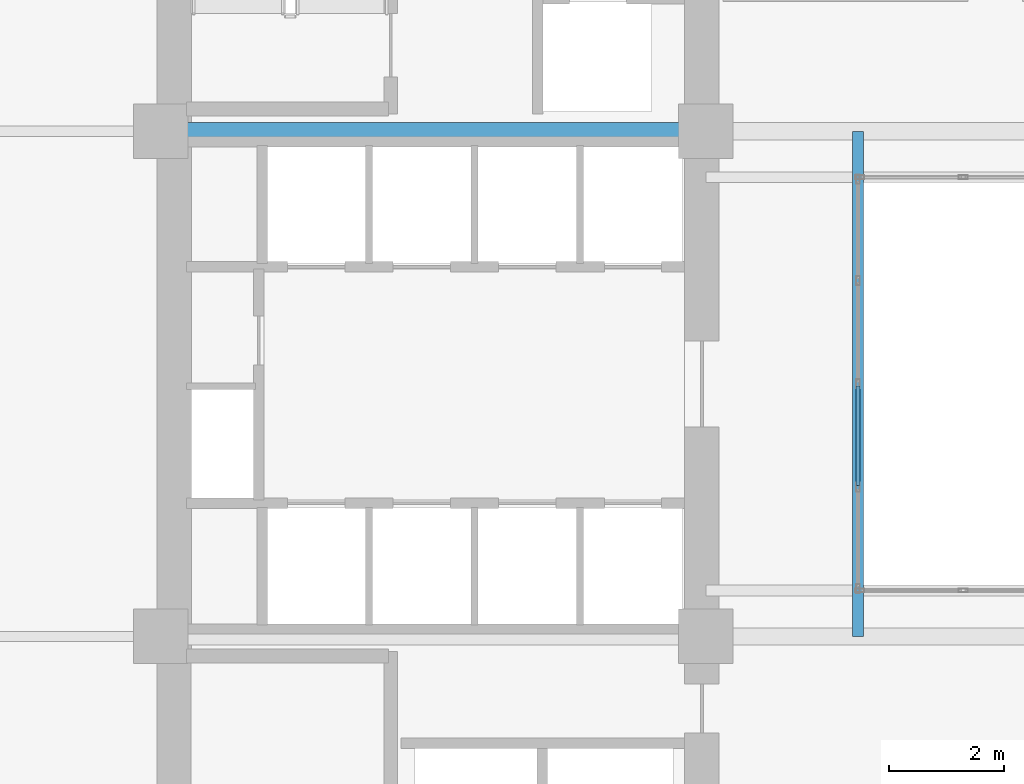
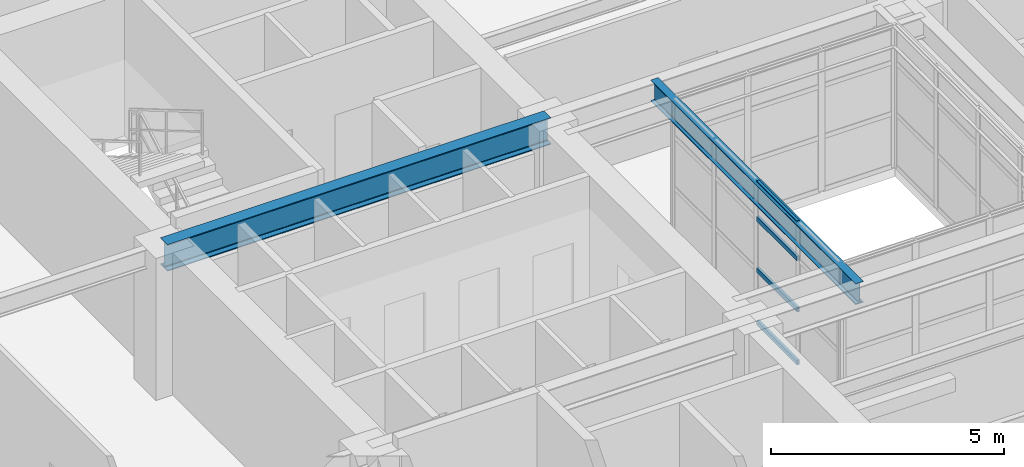
# One storey, part 3 of 17: 4 members, 2 beams, 1 element without a shape of its own.
"""IFC4 building model written with IfcOpenShell, lengths in metres."""

from ifc_helpers import new_model, si_unit, direction, frame, origin, origin_2d, place, context, subcontext, project, spatial, hollow_rectangle, i_section, extrude, material, layer, layer_set, material_profile, profile_set, type_object, element, aggregate, save


model = new_model("IFC4")

# Units and contexts
model_context = context("Model", 3, precision=1e-05, world=origin(), true_north=direction((0.0, 1.0)))
body_context = subcontext(model_context, "Body", "Model", "MODEL_VIEW")
ifc_project = project(units=[si_unit("LENGTHUNIT", "METRE"), si_unit("AREAUNIT", "SQUARE_METRE"), si_unit("VOLUMEUNIT", "CUBIC_METRE"), si_unit("PLANEANGLEUNIT", "RADIAN"), si_unit("MASSUNIT", "GRAM", prefix="KILO")], contexts=[model_context])

# Site, building, storey
site_placement = place(None, origin())
site = spatial("IfcSite", under=ifc_project, at=site_placement, CompositionType="ELEMENT")
building_placement = place(site_placement, origin())
building = spatial("IfcBuilding", under=site, at=building_placement, Name="Kundavana Baori Tower", CompositionType="ELEMENT")
storey_placement = place(building_placement, frame((0.0, 0.0, 30.0)))
storey = spatial("IfcBuildingStorey", under=building, at=storey_placement, Name="L06", CompositionType="ELEMENT", Elevation=30.0)

# Beams
ifc_material_1 = material(Name="Structural Steel S355JR", Category="steel")
ifc_material_profile_1 = material_profile(ifc_material_1, i_section(OverallWidth=0.18994140625, OverallDepth=0.550048828125, WebThickness=0.01123046875, FlangeThickness=0.019287109375, FilletRadius=0.01806640625, at=origin_2d()), Name="ISMB 550")
ifc_profile_set_1 = profile_set([ifc_material_profile_1], Name="Structural Steel S355JR")
beam_type_1 = type_object("IfcBeamType", Name="BM-ST-550", PredefinedType="BEAM", material=ifc_profile_set_1)
beam_1_placement = place(storey_placement, frame((27.60009765625, 24.199951171875, 3.445068359375), z_axis=(0.0, 1.0, 0.0), x_axis=(-1.0, 0.0, 0.0)))
element("IfcBeam", 1, at=beam_1_placement, inside=storey, type_object=beam_type_1, Name="L06 Atrium West Edge Beam", PredefinedType="BEAM", context=body_context, shape_type="SweptSolid", body=[
    extrude(i_section(OverallWidth=0.18994140625, OverallDepth=0.550048828125, WebThickness=0.01123046875, FlangeThickness=0.019287109375, FilletRadius=0.01806640625, at=origin_2d()), origin(), (0.0, 0.0, 1.0), 8.800048828125),
])
ifc_material_2 = material(Name="Structural Steel S355JR", Category="steel")
ifc_material_profile_2 = material_profile(ifc_material_2, i_section(OverallWidth=0.300048828125, OverallDepth=0.699951171875, WebThickness=0.014404296875, FlangeThickness=0.02392578125, FilletRadius=0.02392578125, at=origin_2d()), Name="NPB 700x300x170")
ifc_profile_set_2 = profile_set([ifc_material_profile_2], Name="Structural Steel S355JR")
beam_type_2 = type_object("IfcBeamType", Name="BM-ST-700", PredefinedType="BEAM", material=ifc_profile_set_2)
beam_2_placement = place(storey_placement, frame((15.449951171875, 33.0, 3.3701171875), z_axis=(1.0, 0.0, 0.0), x_axis=(0.0, 1.0, 0.0)))
element("IfcBeam", 2, at=beam_2_placement, inside=storey, type_object=beam_type_2, Name="L06 Primary Grid Girder GX-3-1", PredefinedType="BEAM", context=body_context, shape_type="SweptSolid", body=[
    extrude(i_section(OverallWidth=0.300048828125, OverallDepth=0.699951171875, WebThickness=0.014404296875, FlangeThickness=0.02392578125, FilletRadius=0.02392578125, at=origin_2d()), origin(), (0.0, 0.0, 1.0), 9.5),
])

# Curtain wall, members
ifc_material_3 = material(Name="Thermally Broken Anodised Aluminium Framing", Category="aluminium")
ifc_layer = layer(ifc_material_3, 0.18994140625, Name="CW-SYS-3")
ifc_layer_set = layer_set([ifc_layer], Name="Thermally Broken Anodised Aluminium Framing")
curtain_wall_type = type_object("IfcCurtainWallType", Name="CW-SYS-3", PredefinedType="NOTDEFINED", material=ifc_layer_set)
curtain_wall_placement = place(storey_placement, origin())
curtain_wall = element("IfcCurtainWall", 3, at=curtain_wall_placement, inside=storey, type_object=curtain_wall_type, Name="L06 Atrium Glazed Curtain Wall W", PredefinedType="NOTDEFINED")
ifc_material_4 = material(Name="Thermally Broken Anodised Aluminium Framing", Category="aluminium")
ifc_material_profile_3 = material_profile(ifc_material_4, hollow_rectangle(XDim=0.06494140625, YDim=0.1201171875, WallThickness=0.00390625, at=origin_2d()), Name="CW-TRAN-120")
ifc_profile_set_3 = profile_set([ifc_material_profile_3], Name="Thermally Broken Anodised Aluminium Framing")
member_type = type_object("IfcMemberType", Name="CW-TRAN-120", PredefinedType="USERDEFINED", material=ifc_profile_set_3)
member_1_placement = place(storey_placement, frame((27.60009765625, 28.5673828125, 0.032470703125), z_axis=(0.0, -1.0, 0.0), x_axis=(1.0, 0.0, 0.0)))
member_1 = element("IfcMember", 4, at=member_1_placement, type_object=member_type, Name="CW3 transom 3.1", ObjectType="TRANSOM", PredefinedType="USERDEFINED", context=body_context, shape_type="SweptSolid", body=[
    extrude(hollow_rectangle(XDim=0.06494140625, YDim=0.1201171875, WallThickness=0.00390625, at=origin_2d()), origin(), (0.0, 0.0, 1.0), 1.73486328125),
])
member_2_placement = place(storey_placement, frame((27.60009765625, 28.5673828125, 1.41357421875), z_axis=(0.0, -1.0, 0.0), x_axis=(1.0, 0.0, 0.0)))
member_2 = element("IfcMember", 5, at=member_2_placement, type_object=member_type, Name="CW3 transom 3.2", ObjectType="TRANSOM", PredefinedType="USERDEFINED", context=body_context, shape_type="SweptSolid", body=[
    extrude(hollow_rectangle(XDim=0.06494140625, YDim=0.1201171875, WallThickness=0.00390625, at=origin_2d()), origin(), (0.0, 0.0, 1.0), 1.73486328125),
])
member_3_placement = place(storey_placement, frame((27.60009765625, 28.5673828125, 2.752685546875), z_axis=(0.0, -1.0, 0.0), x_axis=(1.0, 0.0, 0.0)))
member_3 = element("IfcMember", 6, at=member_3_placement, type_object=member_type, Name="CW3 transom 3.3", ObjectType="TRANSOM", PredefinedType="USERDEFINED", context=body_context, shape_type="SweptSolid", body=[
    extrude(hollow_rectangle(XDim=0.06494140625, YDim=0.1201171875, WallThickness=0.00390625, at=origin_2d()), origin(), (0.0, 0.0, 1.0), 1.73486328125),
])
member_4_placement = place(storey_placement, frame((27.60009765625, 28.5673828125, 3.6875), z_axis=(0.0, -1.0, 0.0), x_axis=(1.0, 0.0, 0.0)))
member_4 = element("IfcMember", 7, at=member_4_placement, type_object=member_type, Name="CW3 transom 3.4", ObjectType="TRANSOM", PredefinedType="USERDEFINED", context=body_context, shape_type="SweptSolid", body=[
    extrude(hollow_rectangle(XDim=0.06494140625, YDim=0.1201171875, WallThickness=0.00390625, at=origin_2d()), origin(), (0.0, 0.0, 1.0), 1.73486328125),
])
aggregate(curtain_wall, [member_1, member_2, member_3, member_4])

save(model, "model.ifc")
